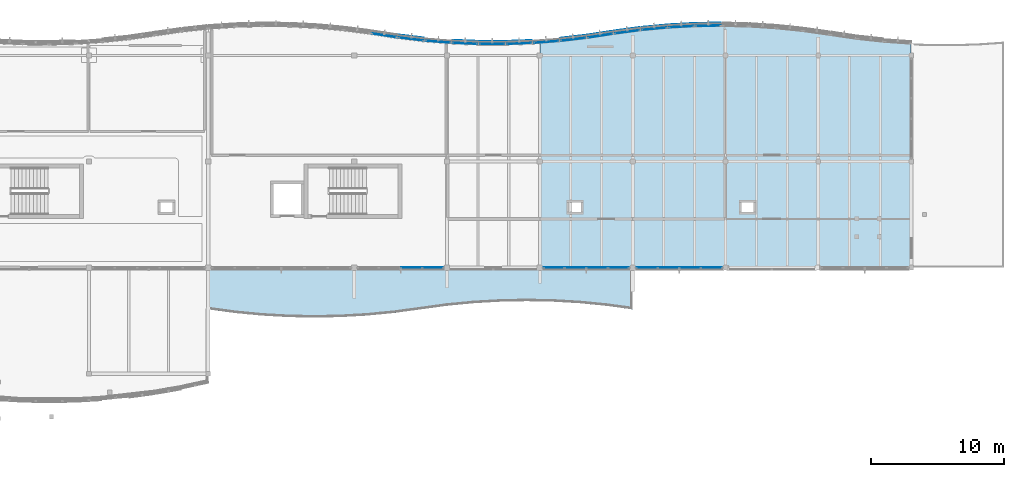
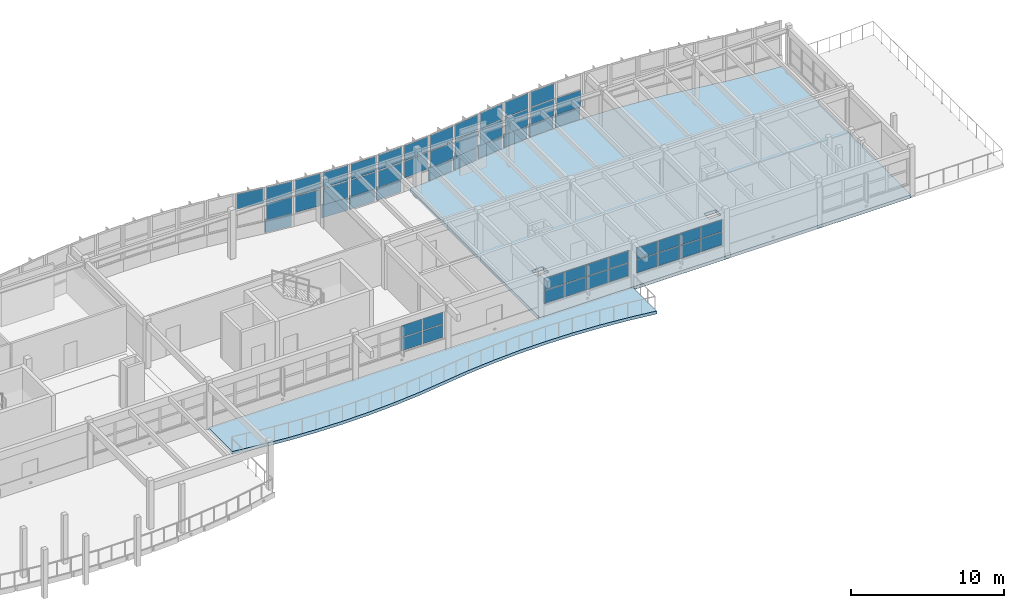
# One storey, part 35 of 63: 54 plates, 2 slabs, 16 elements without a shape of their own.
"""IFC4 building model written with IfcOpenShell, lengths in metres."""

from ifc_helpers import new_model, si_unit, direction, frame, origin, origin_2d, place, context, subcontext, project, spatial, polyline, rectangle, outline, extrude, material, layer, layer_set, type_object, element, aggregate, save


model = new_model("IFC4")

# Units and contexts
model_context = context("Model", 3, precision=1e-05, world=origin(), true_north=direction((0.0, 1.0)))
body_context = subcontext(model_context, "Body", "Model", "MODEL_VIEW")
ifc_project = project(units=[si_unit("LENGTHUNIT", "METRE"), si_unit("AREAUNIT", "SQUARE_METRE"), si_unit("VOLUMEUNIT", "CUBIC_METRE"), si_unit("PLANEANGLEUNIT", "RADIAN"), si_unit("MASSUNIT", "GRAM", prefix="KILO")], contexts=[model_context])

# Site, building, storey
site_placement = place(None, origin())
site = spatial("IfcSite", under=ifc_project, at=site_placement, CompositionType="ELEMENT")
building_placement = place(site_placement, origin())
building = spatial("IfcBuilding", under=site, at=building_placement, Name="Tonlespit Floodbar School", CompositionType="ELEMENT")
storey_placement = place(building_placement, frame((0.0, 0.0, 8.39990234375)))
storey = spatial("IfcBuildingStorey", under=building, at=storey_placement, Name="L02", CompositionType="ELEMENT", Elevation=8.39990234375)

# Curtain wall, plates
ifc_material_1 = material(Name="Anodised Aluminium", Category="aluminium")
ifc_layer_1 = layer(ifc_material_1, 0.159912109375)
ifc_layer_set_1 = layer_set([ifc_layer_1], Name="Anodised Aluminium")
curtain_wall_type_1 = type_object("IfcCurtainWallType", Name="CurtainWall_1950x2700", PredefinedType="NOTDEFINED", material=ifc_layer_set_1)
curtain_wall_1_placement = place(storey_placement, origin())
curtain_wall_1 = element("IfcCurtainWall", 1, at=curtain_wall_1_placement, inside=storey, type_object=curtain_wall_type_1, Name="L02 unitised curtain wall 0421", PredefinedType="NOTDEFINED")
ifc_material_2 = material(Name="Laminated Low-E Glass", Category="glass")
ifc_layer_2 = layer(ifc_material_2, 0.028076171875)
ifc_layer_set_2 = layer_set([ifc_layer_2], Name="Laminated Low-E Glass")
plate_type_1 = type_object("IfcPlateType", Name="CW_Panel_Glaz_28", PredefinedType="CURTAIN_PANEL", material=ifc_layer_set_2)
plate_1_placement = place(storey_placement, frame((131.288330078125, 121.233154296875, 1.01513671875), z_axis=(0.0, 0.0, 1.0), x_axis=(0.992840341951, -0.119448965651, 0.0)))
plate_1 = element("IfcPlate", 2, at=plate_1_placement, type_object=plate_type_1, Name="CW-04 panel 1.1", PredefinedType="CURTAIN_PANEL", context=body_context, shape_type="SweptSolid", body=[
    extrude(rectangle(XDim=1.84326171875, YDim=0.028076171875, at=origin_2d()), origin(), (0.0, 0.0, 1.0), 1.306396484375),
])
plate_2_placement = place(storey_placement, frame((131.288330078125, 121.233154296875, 2.38671875), z_axis=(0.0, 0.0, 1.0), x_axis=(0.992840341951, -0.119448965651, 0.0)))
plate_2 = element("IfcPlate", 3, at=plate_2_placement, type_object=plate_type_1, Name="CW-04 panel 1.2", PredefinedType="CURTAIN_PANEL", context=body_context, shape_type="SweptSolid", body=[
    extrude(rectangle(XDim=1.84326171875, YDim=0.028076171875, at=origin_2d()), origin(), (0.0, 0.0, 1.0), 1.198486328125),
])
aggregate(curtain_wall_1, [plate_1, plate_2])

curtain_wall_2_placement = place(storey_placement, origin())
curtain_wall_2 = element("IfcCurtainWall", 4, at=curtain_wall_2_placement, inside=storey, type_object=curtain_wall_type_1, Name="L02 unitised curtain wall 0425", PredefinedType="NOTDEFINED")
plate_3_placement = place(storey_placement, frame((139.4423828125, 120.89697265625, 1.01513671875), z_axis=(0.0, 0.0, 1.0), x_axis=(0.999302194159, 0.037351368782, 0.0)))
plate_3 = element("IfcPlate", 5, at=plate_3_placement, type_object=plate_type_1, Name="CW-04 panel 1.1", PredefinedType="CURTAIN_PANEL", context=body_context, shape_type="SweptSolid", body=[
    extrude(rectangle(XDim=1.829833984375, YDim=0.028076171875, at=origin_2d()), origin(), (0.0, 0.0, 1.0), 1.306396484375),
])
plate_4_placement = place(storey_placement, frame((139.4423828125, 120.89697265625, 2.38671875), z_axis=(0.0, 0.0, 1.0), x_axis=(0.999302194159, 0.037351368782, 0.0)))
plate_4 = element("IfcPlate", 6, at=plate_4_placement, type_object=plate_type_1, Name="CW-04 panel 1.2", PredefinedType="CURTAIN_PANEL", context=body_context, shape_type="SweptSolid", body=[
    extrude(rectangle(XDim=1.829833984375, YDim=0.028076171875, at=origin_2d()), origin(), (0.0, 0.0, 1.0), 1.198486328125),
])
aggregate(curtain_wall_2, [plate_3, plate_4])

ifc_layer_3 = layer(ifc_material_1, 0.159912109375)
ifc_layer_set_3 = layer_set([ifc_layer_3], Name="Anodised Aluminium")
curtain_wall_type_2 = type_object("IfcCurtainWallType", Name="CurtainWall_2000x2700", PredefinedType="NOTDEFINED", material=ifc_layer_set_3)
curtain_wall_3_placement = place(storey_placement, origin())
curtain_wall_3 = element("IfcCurtainWall", 7, at=curtain_wall_3_placement, inside=storey, type_object=curtain_wall_type_2, Name="L02 unitised curtain wall 0429", PredefinedType="NOTDEFINED")
plate_5_placement = place(storey_placement, frame((147.59619140625, 121.77880859375, 1.01513671875), z_axis=(0.0, 0.0, 1.0), x_axis=(0.991144201743, 0.132789951994, 0.0)))
plate_5 = element("IfcPlate", 8, at=plate_5_placement, type_object=plate_type_1, Name="CW-65 panel 1.1", PredefinedType="CURTAIN_PANEL", context=body_context, shape_type="SweptSolid", body=[
    extrude(rectangle(XDim=1.846923828125, YDim=0.028076171875, at=origin_2d()), origin(), (0.0, 0.0, 1.0), 1.306396484375),
])
plate_6_placement = place(storey_placement, frame((147.59619140625, 121.77880859375, 2.38671875), z_axis=(0.0, 0.0, 1.0), x_axis=(0.991144201743, 0.132789951994, 0.0)))
plate_6 = element("IfcPlate", 9, at=plate_6_placement, type_object=plate_type_1, Name="CW-65 panel 1.2", PredefinedType="CURTAIN_PANEL", context=body_context, shape_type="SweptSolid", body=[
    extrude(rectangle(XDim=1.846923828125, YDim=0.028076171875, at=origin_2d()), origin(), (0.0, 0.0, 1.0), 1.198486328125),
])
aggregate(curtain_wall_3, [plate_5, plate_6])

curtain_wall_4_placement = place(storey_placement, origin())
curtain_wall_4 = element("IfcCurtainWall", 10, at=curtain_wall_4_placement, inside=storey, type_object=curtain_wall_type_1, Name="L02 unitised curtain wall 0422", PredefinedType="NOTDEFINED")
ifc_layer_4 = layer(ifc_material_2, 0.031982421875)
ifc_layer_set_4 = layer_set([ifc_layer_4], Name="Laminated Low-E Glass")
plate_type_2 = type_object("IfcPlateType", Name="CW_Panel_Glaz_32", PredefinedType="CURTAIN_PANEL", material=ifc_layer_set_4)
plate_7_placement = place(storey_placement, frame((133.326904296875, 121.0283203125, 1.01513671875), z_axis=(0.0, 0.0, 1.0), x_axis=(0.996770462533, -0.080303455856, 0.0)))
plate_7 = element("IfcPlate", 11, at=plate_7_placement, type_object=plate_type_2, Name="CW-04 panel 1.1", PredefinedType="CURTAIN_PANEL", context=body_context, shape_type="SweptSolid", body=[
    extrude(rectangle(XDim=1.8349609375, YDim=0.031982421875, at=origin_2d()), origin(), (0.0, 0.0, 1.0), 1.306396484375),
])
plate_8_placement = place(storey_placement, frame((133.326904296875, 121.0283203125, 2.38671875), z_axis=(0.0, 0.0, 1.0), x_axis=(0.996770462533, -0.080303455856, 0.0)))
plate_8 = element("IfcPlate", 12, at=plate_8_placement, type_object=plate_type_2, Name="CW-04 panel 1.2", PredefinedType="CURTAIN_PANEL", context=body_context, shape_type="SweptSolid", body=[
    extrude(rectangle(XDim=1.8349609375, YDim=0.031982421875, at=origin_2d()), origin(), (0.0, 0.0, 1.0), 1.198486328125),
])
aggregate(curtain_wall_4, [plate_7, plate_8])

curtain_wall_5_placement = place(storey_placement, origin())
curtain_wall_5 = element("IfcCurtainWall", 13, at=curtain_wall_5_placement, inside=storey, type_object=curtain_wall_type_1, Name="L02 unitised curtain wall 0426", PredefinedType="NOTDEFINED")
plate_9_placement = place(storey_placement, frame((141.480712890625, 121.01318359375, 1.01513671875), z_axis=(0.0, 0.0, 1.0), x_axis=(0.997068841063, 0.076509647633, 0.0)))
plate_9 = element("IfcPlate", 14, at=plate_9_placement, type_object=plate_type_2, Name="CW-04 panel 1.1", PredefinedType="CURTAIN_PANEL", context=body_context, shape_type="SweptSolid", body=[
    extrude(rectangle(XDim=1.83447265625, YDim=0.031982421875, at=origin_2d()), origin(), (0.0, 0.0, 1.0), 1.306396484375),
])
plate_10_placement = place(storey_placement, frame((141.480712890625, 121.01318359375, 2.38671875), z_axis=(0.0, 0.0, 1.0), x_axis=(0.997068841063, 0.076509647633, 0.0)))
plate_10 = element("IfcPlate", 15, at=plate_10_placement, type_object=plate_type_2, Name="CW-04 panel 1.2", PredefinedType="CURTAIN_PANEL", context=body_context, shape_type="SweptSolid", body=[
    extrude(rectangle(XDim=1.83447265625, YDim=0.031982421875, at=origin_2d()), origin(), (0.0, 0.0, 1.0), 1.198486328125),
])
aggregate(curtain_wall_5, [plate_9, plate_10])

curtain_wall_6_placement = place(storey_placement, origin())
curtain_wall_6 = element("IfcCurtainWall", 16, at=curtain_wall_6_placement, inside=storey, type_object=curtain_wall_type_1, Name="L02 unitised curtain wall 0430", PredefinedType="NOTDEFINED")
plate_11_placement = place(storey_placement, frame((149.634521484375, 122.01123046875, 1.01513671875), z_axis=(0.0, 0.0, 1.0), x_axis=(0.995607615721, 0.093624118246, 0.0)))
plate_11 = element("IfcPlate", 17, at=plate_11_placement, type_object=plate_type_2, Name="CW-04 panel 1.1", PredefinedType="CURTAIN_PANEL", context=body_context, shape_type="SweptSolid", body=[
    extrude(rectangle(XDim=1.83740234375, YDim=0.031982421875, at=origin_2d()), origin(), (0.0, 0.0, 1.0), 1.306396484375),
])
plate_12_placement = place(storey_placement, frame((149.634521484375, 122.01123046875, 2.38671875), z_axis=(0.0, 0.0, 1.0), x_axis=(0.995607615721, 0.093624118246, 0.0)))
plate_12 = element("IfcPlate", 18, at=plate_12_placement, type_object=plate_type_2, Name="CW-04 panel 1.2", PredefinedType="CURTAIN_PANEL", context=body_context, shape_type="SweptSolid", body=[
    extrude(rectangle(XDim=1.83740234375, YDim=0.031982421875, at=origin_2d()), origin(), (0.0, 0.0, 1.0), 1.198486328125),
])
aggregate(curtain_wall_6, [plate_11, plate_12])

ifc_layer_5 = layer(ifc_material_1, 0.159912109375)
ifc_layer_set_5 = layer_set([ifc_layer_5], Name="Anodised Aluminium")
curtain_wall_type_3 = type_object("IfcCurtainWallType", Name="CurtainWall_6550x2150", PredefinedType="NOTDEFINED", material=ifc_layer_set_5)
curtain_wall_7_placement = place(storey_placement, origin())
curtain_wall_7 = element("IfcCurtainWall", 19, at=curtain_wall_7_placement, inside=storey, type_object=curtain_wall_type_3, Name="L02 unitised curtain wall 0442", PredefinedType="NOTDEFINED")
plate_13_placement = place(storey_placement, frame((153.9462890625, 104.0, 1.01513671875), z_axis=(0.0, 0.0, 1.0), x_axis=(-1.0, 0.0, 0.0)))
plate_13 = element("IfcPlate", 20, at=plate_13_placement, type_object=plate_type_2, Name="CW-66 panel 1.1", PredefinedType="CURTAIN_PANEL", context=body_context, shape_type="SweptSolid", body=[
    extrude(rectangle(XDim=1.53759765625, YDim=0.031982421875, at=origin_2d()), origin(), (0.0, 0.0, 1.0), 1.0126953125),
])
plate_14_placement = place(storey_placement, frame((153.9462890625, 104.0, 2.0927734375), z_axis=(0.0, 0.0, 1.0), x_axis=(-1.0, 0.0, 0.0)))
plate_14 = element("IfcPlate", 21, at=plate_14_placement, type_object=plate_type_2, Name="CW-66 panel 1.2", PredefinedType="CURTAIN_PANEL", context=body_context, shape_type="SweptSolid", body=[
    extrude(rectangle(XDim=1.53759765625, YDim=0.031982421875, at=origin_2d()), origin(), (0.0, 0.0, 1.0), 0.92724609375),
])
plate_15_placement = place(storey_placement, frame((152.327392578125, 104.0, 1.01513671875), z_axis=(0.0, 0.0, 1.0), x_axis=(-1.0, 0.0, 0.0)))
plate_15 = element("IfcPlate", 22, at=plate_15_placement, type_object=plate_type_2, Name="CW-66 panel 2.1", PredefinedType="CURTAIN_PANEL", context=body_context, shape_type="SweptSolid", body=[
    extrude(rectangle(XDim=1.570068359375, YDim=0.031982421875, at=origin_2d()), origin(), (0.0, 0.0, 1.0), 1.0126953125),
])
plate_16_placement = place(storey_placement, frame((152.327392578125, 104.0, 2.0927734375), z_axis=(0.0, 0.0, 1.0), x_axis=(-1.0, 0.0, 0.0)))
plate_16 = element("IfcPlate", 23, at=plate_16_placement, type_object=plate_type_2, Name="CW-66 panel 2.2", PredefinedType="CURTAIN_PANEL", context=body_context, shape_type="SweptSolid", body=[
    extrude(rectangle(XDim=1.570068359375, YDim=0.031982421875, at=origin_2d()), origin(), (0.0, 0.0, 1.0), 0.92724609375),
])
plate_17_placement = place(storey_placement, frame((150.6923828125, 104.0, 1.01513671875), z_axis=(0.0, 0.0, 1.0), x_axis=(-1.0, 0.0, 0.0)))
plate_17 = element("IfcPlate", 24, at=plate_17_placement, type_object=plate_type_2, Name="CW-66 panel 3.1", PredefinedType="CURTAIN_PANEL", context=body_context, shape_type="SweptSolid", body=[
    extrude(rectangle(XDim=1.570068359375, YDim=0.031982421875, at=origin_2d()), origin(), (0.0, 0.0, 1.0), 1.0126953125),
])
plate_18_placement = place(storey_placement, frame((150.6923828125, 104.0, 2.0927734375), z_axis=(0.0, 0.0, 1.0), x_axis=(-1.0, 0.0, 0.0)))
plate_18 = element("IfcPlate", 25, at=plate_18_placement, type_object=plate_type_2, Name="CW-66 panel 3.2", PredefinedType="CURTAIN_PANEL", context=body_context, shape_type="SweptSolid", body=[
    extrude(rectangle(XDim=1.570068359375, YDim=0.031982421875, at=origin_2d()), origin(), (0.0, 0.0, 1.0), 0.92724609375),
])
plate_19_placement = place(storey_placement, frame((149.07373046875, 104.0, 1.01513671875), z_axis=(0.0, 0.0, 1.0), x_axis=(-1.0, 0.0, 0.0)))
plate_19 = element("IfcPlate", 26, at=plate_19_placement, type_object=plate_type_2, Name="CW-66 panel 4.1", PredefinedType="CURTAIN_PANEL", context=body_context, shape_type="SweptSolid", body=[
    extrude(rectangle(XDim=1.53759765625, YDim=0.031982421875, at=origin_2d()), origin(), (0.0, 0.0, 1.0), 1.0126953125),
])
plate_20_placement = place(storey_placement, frame((149.07373046875, 104.0, 2.0927734375), z_axis=(0.0, 0.0, 1.0), x_axis=(-1.0, 0.0, 0.0)))
plate_20 = element("IfcPlate", 27, at=plate_20_placement, type_object=plate_type_2, Name="CW-66 panel 4.2", PredefinedType="CURTAIN_PANEL", context=body_context, shape_type="SweptSolid", body=[
    extrude(rectangle(XDim=1.53759765625, YDim=0.031982421875, at=origin_2d()), origin(), (0.0, 0.0, 1.0), 0.92724609375),
])
aggregate(curtain_wall_7, [plate_13, plate_14, plate_15, plate_16, plate_17, plate_18, plate_19, plate_20])

curtain_wall_8_placement = place(storey_placement, origin())
curtain_wall_8 = element("IfcCurtainWall", 28, at=curtain_wall_8_placement, inside=storey, type_object=curtain_wall_type_1, Name="L02 unitised curtain wall 0423", PredefinedType="NOTDEFINED")
ifc_layer_6 = layer(ifc_material_2, 0.035888671875)
ifc_layer_set_6 = layer_set([ifc_layer_6], Name="Laminated Low-E Glass")
plate_type_3 = type_object("IfcPlateType", Name="CW_Panel_Glaz_36", PredefinedType="CURTAIN_PANEL", material=ifc_layer_set_6)
plate_21_placement = place(storey_placement, frame((135.365478515625, 120.904296875, 1.01513671875), z_axis=(0.0, 0.0, 1.0), x_axis=(0.999154164317, -0.041121234506, 0.0)))
plate_21 = element("IfcPlate", 29, at=plate_21_placement, type_object=plate_type_3, Name="CW-04 panel 1.1", PredefinedType="CURTAIN_PANEL", context=body_context, shape_type="SweptSolid", body=[
    extrude(rectangle(XDim=1.830078125, YDim=0.035888671875, at=origin_2d()), origin(), (0.0, 0.0, 1.0), 1.306396484375),
])
plate_22_placement = place(storey_placement, frame((135.365478515625, 120.904296875, 2.38671875), z_axis=(0.0, 0.0, 1.0), x_axis=(0.999154164317, -0.041121234506, 0.0)))
plate_22 = element("IfcPlate", 30, at=plate_22_placement, type_object=plate_type_3, Name="CW-04 panel 1.2", PredefinedType="CURTAIN_PANEL", context=body_context, shape_type="SweptSolid", body=[
    extrude(rectangle(XDim=1.830078125, YDim=0.035888671875, at=origin_2d()), origin(), (0.0, 0.0, 1.0), 1.198486328125),
])
aggregate(curtain_wall_8, [plate_21, plate_22])

curtain_wall_9_placement = place(storey_placement, origin())
curtain_wall_9 = element("IfcCurtainWall", 31, at=curtain_wall_9_placement, inside=storey, type_object=curtain_wall_type_1, Name="L02 unitised curtain wall 0427", PredefinedType="NOTDEFINED")
plate_23_placement = place(storey_placement, frame((143.519287109375, 121.210205078125, 1.01513671875), z_axis=(0.0, 0.0, 1.0), x_axis=(0.993272570053, 0.115799834112, 0.0)))
plate_23 = element("IfcPlate", 32, at=plate_23_placement, type_object=plate_type_3, Name="CW-04 panel 1.1", PredefinedType="CURTAIN_PANEL", context=body_context, shape_type="SweptSolid", body=[
    extrude(rectangle(XDim=1.84228515625, YDim=0.035888671875, at=origin_2d()), origin(), (0.0, 0.0, 1.0), 1.306396484375),
])
plate_24_placement = place(storey_placement, frame((143.519287109375, 121.210205078125, 2.38671875), z_axis=(0.0, 0.0, 1.0), x_axis=(0.993272570053, 0.115799834112, 0.0)))
plate_24 = element("IfcPlate", 33, at=plate_24_placement, type_object=plate_type_3, Name="CW-04 panel 1.2", PredefinedType="CURTAIN_PANEL", context=body_context, shape_type="SweptSolid", body=[
    extrude(rectangle(XDim=1.84228515625, YDim=0.035888671875, at=origin_2d()), origin(), (0.0, 0.0, 1.0), 1.198486328125),
])
aggregate(curtain_wall_9, [plate_23, plate_24])

curtain_wall_10_placement = place(storey_placement, origin())
curtain_wall_10 = element("IfcCurtainWall", 34, at=curtain_wall_10_placement, inside=storey, type_object=curtain_wall_type_1, Name="L02 unitised curtain wall 0431", PredefinedType="NOTDEFINED")
plate_25_placement = place(storey_placement, frame((151.673095703125, 122.16259765625, 1.01513671875), z_axis=(0.0, 0.0, 1.0), x_axis=(0.99852230398, 0.054343430645, 0.0)))
plate_25 = element("IfcPlate", 35, at=plate_25_placement, type_object=plate_type_3, Name="CW-04 panel 1.1", PredefinedType="CURTAIN_PANEL", context=body_context, shape_type="SweptSolid", body=[
    extrude(rectangle(XDim=1.83154296875, YDim=0.035888671875, at=origin_2d()), origin(), (0.0, 0.0, 1.0), 1.306396484375),
])
plate_26_placement = place(storey_placement, frame((151.673095703125, 122.16259765625, 2.38671875), z_axis=(0.0, 0.0, 1.0), x_axis=(0.99852230398, 0.054343430645, 0.0)))
plate_26 = element("IfcPlate", 36, at=plate_26_placement, type_object=plate_type_3, Name="CW-04 panel 1.2", PredefinedType="CURTAIN_PANEL", context=body_context, shape_type="SweptSolid", body=[
    extrude(rectangle(XDim=1.83154296875, YDim=0.035888671875, at=origin_2d()), origin(), (0.0, 0.0, 1.0), 1.198486328125),
])
aggregate(curtain_wall_10, [plate_25, plate_26])

ifc_layer_7 = layer(ifc_material_1, 0.159912109375)
ifc_layer_set_7 = layer_set([ifc_layer_7], Name="Anodised Aluminium")
curtain_wall_type_4 = type_object("IfcCurtainWallType", Name="CurtainWall_6500x2150", PredefinedType="NOTDEFINED", material=ifc_layer_set_7)
curtain_wall_11_placement = place(storey_placement, origin())
curtain_wall_11 = element("IfcCurtainWall", 37, at=curtain_wall_11_placement, inside=storey, type_object=curtain_wall_type_4, Name="L02 unitised curtain wall 0443", PredefinedType="NOTDEFINED")
plate_27_placement = place(storey_placement, frame((146.9287109375, 104.0, 1.01513671875), z_axis=(0.0, 0.0, 1.0), x_axis=(-1.0, 0.0, 0.0)))
plate_27 = element("IfcPlate", 38, at=plate_27_placement, type_object=plate_type_3, Name="CW-67 panel 1.1", PredefinedType="CURTAIN_PANEL", context=body_context, shape_type="SweptSolid", body=[
    extrude(rectangle(XDim=1.532470703125, YDim=0.035888671875, at=origin_2d()), origin(), (0.0, 0.0, 1.0), 1.0126953125),
])
plate_28_placement = place(storey_placement, frame((146.9287109375, 104.0, 2.0927734375), z_axis=(0.0, 0.0, 1.0), x_axis=(-1.0, 0.0, 0.0)))
plate_28 = element("IfcPlate", 39, at=plate_28_placement, type_object=plate_type_3, Name="CW-67 panel 1.2", PredefinedType="CURTAIN_PANEL", context=body_context, shape_type="SweptSolid", body=[
    extrude(rectangle(XDim=1.532470703125, YDim=0.035888671875, at=origin_2d()), origin(), (0.0, 0.0, 1.0), 0.92724609375),
])
plate_29_placement = place(storey_placement, frame((145.31494140625, 104.0, 1.01513671875), z_axis=(0.0, 0.0, 1.0), x_axis=(-1.0, 0.0, 0.0)))
plate_29 = element("IfcPlate", 40, at=plate_29_placement, type_object=plate_type_3, Name="CW-67 panel 2.1", PredefinedType="CURTAIN_PANEL", context=body_context, shape_type="SweptSolid", body=[
    extrude(rectangle(XDim=1.56494140625, YDim=0.035888671875, at=origin_2d()), origin(), (0.0, 0.0, 1.0), 1.0126953125),
])
plate_30_placement = place(storey_placement, frame((145.31494140625, 104.0, 2.0927734375), z_axis=(0.0, 0.0, 1.0), x_axis=(-1.0, 0.0, 0.0)))
plate_30 = element("IfcPlate", 41, at=plate_30_placement, type_object=plate_type_3, Name="CW-67 panel 2.2", PredefinedType="CURTAIN_PANEL", context=body_context, shape_type="SweptSolid", body=[
    extrude(rectangle(XDim=1.56494140625, YDim=0.035888671875, at=origin_2d()), origin(), (0.0, 0.0, 1.0), 0.92724609375),
])
plate_31_placement = place(storey_placement, frame((143.68505859375, 104.0, 1.01513671875), z_axis=(0.0, 0.0, 1.0), x_axis=(-1.0, 0.0, 0.0)))
plate_31 = element("IfcPlate", 42, at=plate_31_placement, type_object=plate_type_3, Name="CW-67 panel 3.1", PredefinedType="CURTAIN_PANEL", context=body_context, shape_type="SweptSolid", body=[
    extrude(rectangle(XDim=1.56494140625, YDim=0.035888671875, at=origin_2d()), origin(), (0.0, 0.0, 1.0), 1.0126953125),
])
plate_32_placement = place(storey_placement, frame((143.68505859375, 104.0, 2.0927734375), z_axis=(0.0, 0.0, 1.0), x_axis=(-1.0, 0.0, 0.0)))
plate_32 = element("IfcPlate", 43, at=plate_32_placement, type_object=plate_type_3, Name="CW-67 panel 3.2", PredefinedType="CURTAIN_PANEL", context=body_context, shape_type="SweptSolid", body=[
    extrude(rectangle(XDim=1.56494140625, YDim=0.035888671875, at=origin_2d()), origin(), (0.0, 0.0, 1.0), 0.92724609375),
])
plate_33_placement = place(storey_placement, frame((142.0712890625, 104.0, 1.01513671875), z_axis=(0.0, 0.0, 1.0), x_axis=(-1.0, 0.0, 0.0)))
plate_33 = element("IfcPlate", 44, at=plate_33_placement, type_object=plate_type_3, Name="CW-67 panel 4.1", PredefinedType="CURTAIN_PANEL", context=body_context, shape_type="SweptSolid", body=[
    extrude(rectangle(XDim=1.532470703125, YDim=0.035888671875, at=origin_2d()), origin(), (0.0, 0.0, 1.0), 1.0126953125),
])
plate_34_placement = place(storey_placement, frame((142.0712890625, 104.0, 2.0927734375), z_axis=(0.0, 0.0, 1.0), x_axis=(-1.0, 0.0, 0.0)))
plate_34 = element("IfcPlate", 45, at=plate_34_placement, type_object=plate_type_3, Name="CW-67 panel 4.2", PredefinedType="CURTAIN_PANEL", context=body_context, shape_type="SweptSolid", body=[
    extrude(rectangle(XDim=1.532470703125, YDim=0.035888671875, at=origin_2d()), origin(), (0.0, 0.0, 1.0), 0.92724609375),
])
aggregate(curtain_wall_11, [plate_27, plate_28, plate_29, plate_30, plate_31, plate_32, plate_33, plate_34])

# Curtain wall, plate
curtain_wall_12_placement = place(storey_placement, origin())
curtain_wall_12 = element("IfcCurtainWall", 46, at=curtain_wall_12_placement, inside=storey, type_object=curtain_wall_type_2, Name="L02 unitised curtain wall 0420", PredefinedType="NOTDEFINED")
ifc_layer_8 = layer(ifc_material_2, 0.0419921875)
ifc_layer_set_8 = layer_set([ifc_layer_8], Name="Laminated Low-E Glass")
plate_type_4 = type_object("IfcPlateType", Name="CW_Panel_Glaz_42", PredefinedType="CURTAIN_PANEL", material=ifc_layer_set_8)
plate_35_placement = place(storey_placement, frame((129.25, 121.513671875, 2.38671875), z_axis=(0.0, 0.0, 1.0), x_axis=(0.988215502923, -0.153069003339, 0.0)))
plate_35 = element("IfcPlate", 47, at=plate_35_placement, type_object=plate_type_4, Name="CW-65 panel 1.2", PredefinedType="CURTAIN_PANEL", context=body_context, shape_type="SweptSolid", body=[
    extrude(rectangle(XDim=1.852783203125, YDim=0.0419921875, at=origin_2d()), origin(), (0.0, 0.0, 1.0), 1.198486328125),
])
aggregate(curtain_wall_12, [plate_35])

# Curtain wall, plates
curtain_wall_13_placement = place(storey_placement, origin())
curtain_wall_13 = element("IfcCurtainWall", 48, at=curtain_wall_13_placement, inside=storey, type_object=curtain_wall_type_1, Name="L02 unitised curtain wall 0424", PredefinedType="NOTDEFINED")
plate_36_placement = place(storey_placement, frame((137.40380859375, 120.860595703125, 1.01513671875), z_axis=(0.0, 0.0, 1.0), x_axis=(0.999998403173, -0.00178707909, 0.0)))
plate_36 = element("IfcPlate", 49, at=plate_36_placement, type_object=plate_type_4, Name="CW-04 panel 1.1", PredefinedType="CURTAIN_PANEL", context=body_context, shape_type="SweptSolid", body=[
    extrude(rectangle(XDim=1.82861328125, YDim=0.0419921875, at=origin_2d()), origin(), (0.0, 0.0, 1.0), 1.306396484375),
])
plate_37_placement = place(storey_placement, frame((137.40380859375, 120.860595703125, 2.38671875), z_axis=(0.0, 0.0, 1.0), x_axis=(0.999998403173, -0.00178707909, 0.0)))
plate_37 = element("IfcPlate", 50, at=plate_37_placement, type_object=plate_type_4, Name="CW-04 panel 1.2", PredefinedType="CURTAIN_PANEL", context=body_context, shape_type="SweptSolid", body=[
    extrude(rectangle(XDim=1.82861328125, YDim=0.0419921875, at=origin_2d()), origin(), (0.0, 0.0, 1.0), 1.198486328125),
])
aggregate(curtain_wall_13, [plate_36, plate_37])

curtain_wall_14_placement = place(storey_placement, origin())
curtain_wall_14 = element("IfcCurtainWall", 51, at=curtain_wall_14_placement, inside=storey, type_object=curtain_wall_type_2, Name="L02 unitised curtain wall 0428", PredefinedType="NOTDEFINED")
plate_38_placement = place(storey_placement, frame((145.5576171875, 121.485595703125, 1.01513671875), z_axis=(0.0, 0.0, 1.0), x_axis=(0.988405497117, 0.151837325017, 0.0)))
plate_38 = element("IfcPlate", 52, at=plate_38_placement, type_object=plate_type_4, Name="CW-65 panel 1.1", PredefinedType="CURTAIN_PANEL", context=body_context, shape_type="SweptSolid", body=[
    extrude(rectangle(XDim=1.852294921875, YDim=0.0419921875, at=origin_2d()), origin(), (0.0, 0.0, 1.0), 1.306396484375),
])
plate_39_placement = place(storey_placement, frame((145.5576171875, 121.485595703125, 2.38671875), z_axis=(0.0, 0.0, 1.0), x_axis=(0.988405497117, 0.151837325017, 0.0)))
plate_39 = element("IfcPlate", 53, at=plate_39_placement, type_object=plate_type_4, Name="CW-65 panel 1.2", PredefinedType="CURTAIN_PANEL", context=body_context, shape_type="SweptSolid", body=[
    extrude(rectangle(XDim=1.852294921875, YDim=0.0419921875, at=origin_2d()), origin(), (0.0, 0.0, 1.0), 1.198486328125),
])
aggregate(curtain_wall_14, [plate_38, plate_39])

# Curtain wall, plate
curtain_wall_15_placement = place(storey_placement, origin())
curtain_wall_15 = element("IfcCurtainWall", 54, at=curtain_wall_15_placement, inside=storey, type_object=curtain_wall_type_1, Name="L02 unitised curtain wall 0432", PredefinedType="NOTDEFINED")
plate_40_placement = place(storey_placement, frame((153.711669921875, 122.2333984375, 1.01513671875), z_axis=(0.0, 0.0, 1.0), x_axis=(0.999885036268, 0.015162923455, 0.0)))
plate_40 = element("IfcPlate", 55, at=plate_40_placement, type_object=plate_type_4, Name="CW-04 panel 1.1", PredefinedType="CURTAIN_PANEL", context=body_context, shape_type="SweptSolid", body=[
    extrude(rectangle(XDim=1.82861328125, YDim=0.0419921875, at=origin_2d()), origin(), (0.0, 0.0, 1.0), 1.306396484375),
])
aggregate(curtain_wall_15, [plate_40])

# Curtain wall, plates
curtain_wall_16_placement = place(storey_placement, origin())
curtain_wall_16 = element("IfcCurtainWall", 56, at=curtain_wall_16_placement, inside=storey, type_object=curtain_wall_type_4, Name="L02 unitised curtain wall 0444", PredefinedType="NOTDEFINED")
plate_41_placement = place(storey_placement, frame((132.9287109375, 104.0, 1.01513671875), z_axis=(0.0, 0.0, 1.0), x_axis=(-1.0, 0.0, 0.0)))
plate_41 = element("IfcPlate", 57, at=plate_41_placement, type_object=plate_type_4, Name="CW-67 panel 1.1", PredefinedType="CURTAIN_PANEL", context=body_context, shape_type="SweptSolid", body=[
    extrude(rectangle(XDim=1.532470703125, YDim=0.0419921875, at=origin_2d()), origin(), (0.0, 0.0, 1.0), 1.0126953125),
])
plate_42_placement = place(storey_placement, frame((132.9287109375, 104.0, 2.0927734375), z_axis=(0.0, 0.0, 1.0), x_axis=(-1.0, 0.0, 0.0)))
plate_42 = element("IfcPlate", 58, at=plate_42_placement, type_object=plate_type_4, Name="CW-67 panel 1.2", PredefinedType="CURTAIN_PANEL", context=body_context, shape_type="SweptSolid", body=[
    extrude(rectangle(XDim=1.532470703125, YDim=0.0419921875, at=origin_2d()), origin(), (0.0, 0.0, 1.0), 0.92724609375),
])
plate_43_placement = place(storey_placement, frame((131.31494140625, 104.0, 1.01513671875), z_axis=(0.0, 0.0, 1.0), x_axis=(-1.0, 0.0, 0.0)))
plate_43 = element("IfcPlate", 59, at=plate_43_placement, type_object=plate_type_4, Name="CW-67 panel 2.1", PredefinedType="CURTAIN_PANEL", context=body_context, shape_type="SweptSolid", body=[
    extrude(rectangle(XDim=1.56494140625, YDim=0.0419921875, at=origin_2d()), origin(), (0.0, 0.0, 1.0), 1.0126953125),
])
plate_44_placement = place(storey_placement, frame((131.31494140625, 104.0, 2.0927734375), z_axis=(0.0, 0.0, 1.0), x_axis=(-1.0, 0.0, 0.0)))
plate_44 = element("IfcPlate", 60, at=plate_44_placement, type_object=plate_type_4, Name="CW-67 panel 2.2", PredefinedType="CURTAIN_PANEL", context=body_context, shape_type="SweptSolid", body=[
    extrude(rectangle(XDim=1.56494140625, YDim=0.0419921875, at=origin_2d()), origin(), (0.0, 0.0, 1.0), 0.92724609375),
])
aggregate(curtain_wall_16, [plate_41, plate_42, plate_43, plate_44])

# Plates
ifc_material_3 = material(Name="White Architectural Aluminium", Category="aluminium")
ifc_layer_9 = layer(ifc_material_3, 0.06494140625)
ifc_layer_set_9 = layer_set([ifc_layer_9], Name="White Architectural Aluminium")
plate_type_5 = type_object("IfcPlateType", Name="FacadeRibbon_White_65", PredefinedType="SHEET", material=ifc_layer_set_9)
plate_45_placement = place(storey_placement, frame((131.310302734375, 121.413818359375, -0.1201171875), z_axis=(0.0, 0.0, 1.0), x_axis=(0.992837635444, -0.119471459546, 0.0)))
element("IfcPlate", 61, at=plate_45_placement, inside=storey, type_object=plate_type_5, Name="L02 flowing white street spandrel ribbon 0671", PredefinedType="SHEET", context=body_context, shape_type="SweptSolid", body=[
    extrude(rectangle(XDim=1.893310546875, YDim=0.06494140625, at=origin_2d()), origin(), (0.0, 0.0, 1.0), 1.070068359375),
])
plate_46_placement = place(storey_placement, frame((135.372802734375, 121.086181640625, -0.1201171875), z_axis=(0.0, 0.0, 1.0), x_axis=(0.999156056334, -0.041075236957, 0.0)))
element("IfcPlate", 62, at=plate_46_placement, inside=storey, type_object=plate_type_5, Name="L02 flowing white street spandrel ribbon 0673", PredefinedType="SHEET", context=body_context, shape_type="SweptSolid", body=[
    extrude(rectangle(XDim=1.880126953125, YDim=0.06494140625, at=origin_2d()), origin(), (0.0, 0.0, 1.0), 1.070068359375),
])
plate_47_placement = place(storey_placement, frame((137.404296875, 121.04248046875, -0.1201171875), z_axis=(0.0, 0.0, 1.0), x_axis=(0.999998352629, -0.001815141425, 0.0)))
element("IfcPlate", 63, at=plate_47_placement, inside=storey, type_object=plate_type_5, Name="L02 flowing white street spandrel ribbon 0674", PredefinedType="SHEET", context=body_context, shape_type="SweptSolid", body=[
    extrude(rectangle(XDim=1.87841796875, YDim=0.06494140625, at=origin_2d()), origin(), (0.0, 0.0, 1.0), 1.070068359375),
])
plate_48_placement = place(storey_placement, frame((139.435546875, 121.078857421875, -0.1201171875), z_axis=(0.0, 0.0, 1.0), x_axis=(0.999302046635, 0.037355315444, 0.0)))
element("IfcPlate", 64, at=plate_48_placement, inside=storey, type_object=plate_type_5, Name="L02 flowing white street spandrel ribbon 0675", PredefinedType="SHEET", context=body_context, shape_type="SweptSolid", body=[
    extrude(rectangle(XDim=1.8798828125, YDim=0.06494140625, at=origin_2d()), origin(), (0.0, 0.0, 1.0), 1.070068359375),
])
plate_49_placement = place(storey_placement, frame((143.498291015625, 121.39111328125, -0.1201171875), z_axis=(0.0, 0.0, 1.0), x_axis=(0.993275723379, 0.115772783271, 0.0)))
element("IfcPlate", 65, at=plate_49_placement, inside=storey, type_object=plate_type_5, Name="L02 flowing white street spandrel ribbon 0677", PredefinedType="SHEET", context=body_context, shape_type="SweptSolid", body=[
    extrude(rectangle(XDim=1.892333984375, YDim=0.06494140625, at=origin_2d()), origin(), (0.0, 0.0, 1.0), 1.070068359375),
])
plate_50_placement = place(storey_placement, frame((145.530029296875, 121.66552734375, -0.1201171875), z_axis=(0.0, 0.0, 1.0), x_axis=(0.988400772292, 0.151868078712, 0.0)))
element("IfcPlate", 66, at=plate_50_placement, inside=storey, type_object=plate_type_5, Name="L02 flowing white street spandrel ribbon 0678", PredefinedType="SHEET", context=body_context, shape_type="SweptSolid", body=[
    extrude(rectangle(XDim=1.90234375, YDim=0.06494140625, at=origin_2d()), origin(), (0.0, 0.0, 1.0), 1.070068359375),
])
plate_51_placement = place(storey_placement, frame((147.572021484375, 121.959228515625, -0.1201171875), z_axis=(0.0, 0.0, 1.0), x_axis=(0.991144996376, 0.132784020724, 0.0)))
element("IfcPlate", 67, at=plate_51_placement, inside=storey, type_object=plate_type_5, Name="L02 flowing white street spandrel ribbon 0679", PredefinedType="SHEET", context=body_context, shape_type="SweptSolid", body=[
    extrude(rectangle(XDim=1.896728515625, YDim=0.06494140625, at=origin_2d()), origin(), (0.0, 0.0, 1.0), 1.070068359375),
])
plate_52_placement = place(storey_placement, frame((149.61767578125, 122.1923828125, -0.1201171875), z_axis=(0.0, 0.0, 1.0), x_axis=(0.995611429803, 0.093583550078, 0.0)))
element("IfcPlate", 68, at=plate_52_placement, inside=storey, type_object=plate_type_5, Name="L02 flowing white street spandrel ribbon 0680", PredefinedType="SHEET", context=body_context, shape_type="SweptSolid", body=[
    extrude(rectangle(XDim=1.887451171875, YDim=0.06494140625, at=origin_2d()), origin(), (0.0, 0.0, 1.0), 1.070068359375),
])
plate_53_placement = place(storey_placement, frame((151.6630859375, 122.34423828125, -0.1201171875), z_axis=(0.0, 0.0, 1.0), x_axis=(0.998520770666, 0.0543715969, 0.0)))
element("IfcPlate", 69, at=plate_53_placement, inside=storey, type_object=plate_type_5, Name="L02 flowing white street spandrel ribbon 0681", PredefinedType="SHEET", context=body_context, shape_type="SweptSolid", body=[
    extrude(rectangle(XDim=1.881591796875, YDim=0.06494140625, at=origin_2d()), origin(), (0.0, 0.0, 1.0), 1.070068359375),
])
plate_54_placement = place(storey_placement, frame((153.708740234375, 122.415283203125, -0.1201171875), z_axis=(0.0, 0.0, 1.0), x_axis=(0.999885143374, 0.015155858947, 0.0)))
element("IfcPlate", 70, at=plate_54_placement, inside=storey, type_object=plate_type_5, Name="L02 flowing white street spandrel ribbon 0682", PredefinedType="SHEET", context=body_context, shape_type="SweptSolid", body=[
    extrude(rectangle(XDim=1.878662109375, YDim=0.06494140625, at=origin_2d()), origin(), (0.0, 0.0, 1.0), 1.070068359375),
])

# Slabs
ifc_material_4 = material(Name="CLT C24", Category="wood")
ifc_layer_10 = layer(ifc_material_4, 0.2548828125)
ifc_layer_set_10 = layer_set([ifc_layer_10], Name="CLT C24")
slab_type_1 = type_object("IfcSlabType", Name="Slab_Floor_CLT_220", PredefinedType="FLOOR", material=ifc_layer_set_10)
slab_1_placement = place(storey_placement, frame((0.0, 0.0, -0.2548828125)))
element("IfcSlab", 71, at=slab_1_placement, inside=storey, type_object=slab_type_1, Name="L02 V4 L02 east arts slab", PredefinedType="FLOOR", context=body_context, shape_type="SweptSolid", body=[
    extrude(outline(polyline([(141.0, 104.0), (169.0, 104.0), (169.0, 120.91064453125), (167.0, 121.045654296875), (165.0, 121.25830078125), (163.0, 121.550048828125), (161.0, 121.841552734375), (159.0, 122.05419921875), (157.0, 122.189208984375), (155.0, 122.2470703125), (153.0, 122.227783203125), (151.0, 122.131591796875), (149.0, 121.957763671875), (147.0, 121.705810546875), (145.0, 121.394287109375), (143.0, 121.142333984375), (141.0, 120.968505859375), (141.0, 104.0)]), holes=[polyline([(143.199951171875, 108.199951171875), (144.10009765625, 108.199951171875), (144.10009765625, 108.89990234375), (143.199951171875, 108.89990234375), (143.199951171875, 108.199951171875)]), polyline([(156.199951171875, 108.199951171875), (157.10009765625, 108.199951171875), (157.10009765625, 108.89990234375), (156.199951171875, 108.89990234375), (156.199951171875, 108.199951171875)])]), origin(), (0.0, 0.0, 1.0), 0.2548828125),
])
ifc_layer_11 = layer(ifc_material_4, 0.243896484375)
ifc_layer_set_11 = layer_set([ifc_layer_11], Name="CLT C24")
slab_type_2 = type_object("IfcSlabType", Name="Slab_Terrace_CLT_244", PredefinedType="FLOOR", material=ifc_layer_set_11)
slab_2_placement = place(storey_placement, frame((0.0, 0.0, -0.243896484375)))
element("IfcSlab", 72, at=slab_2_placement, inside=storey, type_object=slab_type_2, Name="L02 V4 L02 curved courtyard gallery", PredefinedType="FLOOR", context=body_context, shape_type="SweptSolid", body=[
    extrude(outline(polyline([(116.0, 100.85009765625), (118.0, 100.578125), (120.0, 100.385009765625), (122.0, 100.269287109375), (124.0, 100.23095703125), (126.0, 100.269287109375), (128.0, 100.385009765625), (130.0, 100.578125), (132.0, 100.85009765625), (134.0, 101.121826171875), (136.0, 101.31494140625), (138.0, 101.4306640625), (140.0, 101.468994140625), (142.0, 101.4306640625), (144.0, 101.31494140625), (146.0, 101.121826171875), (148.0, 100.85009765625), (148.0, 104.0), (116.0, 104.0), (116.0, 100.85009765625)])), origin(), (0.0, 0.0, 1.0), 0.243896484375),
])

save(model, "model.ifc")
